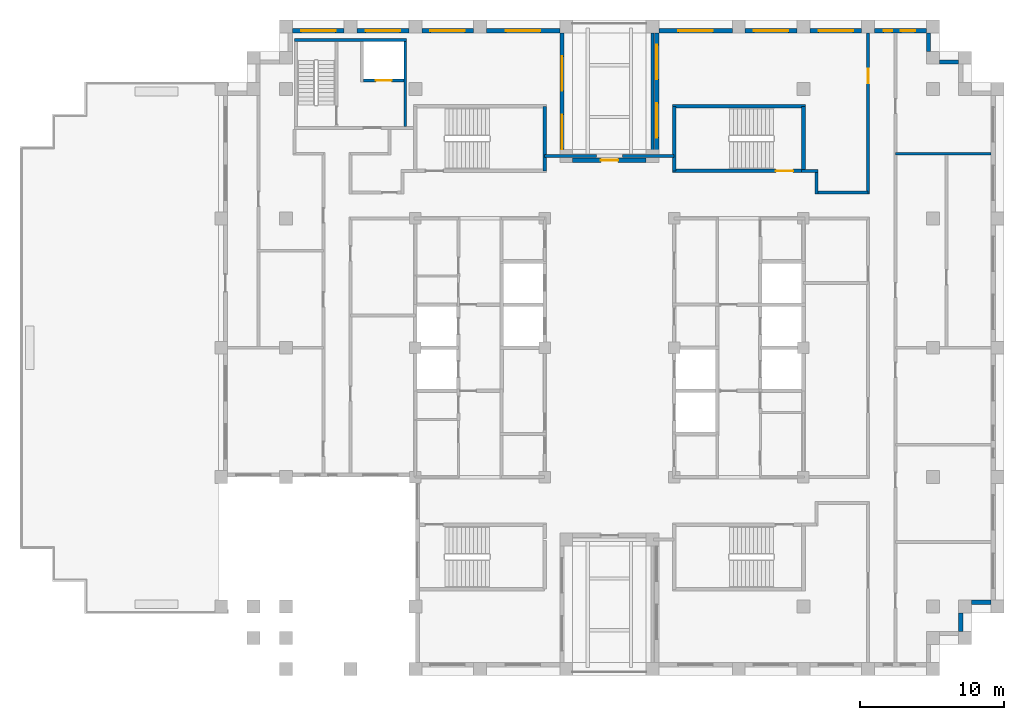
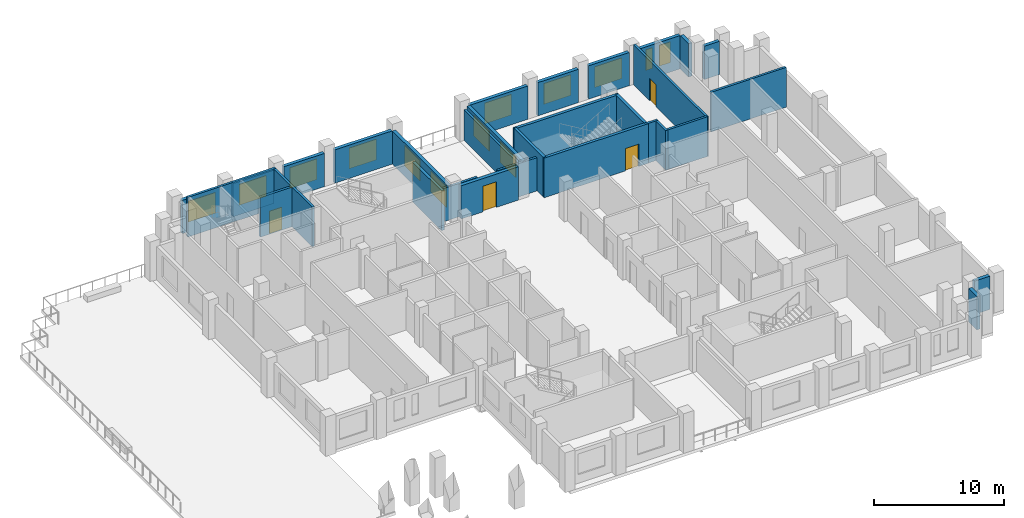
# One storey, part 6 of 10: 31 walls, 13 windows, 4 doors, 17 openings.
"""IFC4 building model written with IfcOpenShell, lengths in metres."""

from ifc_helpers import new_model, si_unit, direction, frame, frame_2d, origin, place, context, subcontext, project, spatial, rectangle, extrude, material, layer, layer_set, type_object, element, fill, save


model = new_model("IFC4")

# Units and contexts
model_context = context("Model", 3, precision=1e-05, world=origin(), true_north=direction((0.0, 1.0)))
body_context = subcontext(model_context, "Body", "Model", "MODEL_VIEW")
ifc_project = project(units=[si_unit("LENGTHUNIT", "METRE"), si_unit("AREAUNIT", "SQUARE_METRE"), si_unit("VOLUMEUNIT", "CUBIC_METRE"), si_unit("PLANEANGLEUNIT", "RADIAN"), si_unit("MASSUNIT", "GRAM", prefix="KILO")], contexts=[model_context])

# Site, building, storey
site_placement = place(None, origin())
site = spatial("IfcSite", under=ifc_project, at=site_placement, CompositionType="ELEMENT")
building_placement = place(site_placement, origin())
building = spatial("IfcBuilding", under=site, at=building_placement, Name="Corbelhall Arena Tower", CompositionType="ELEMENT")
storey_placement = place(building_placement, frame((0.0, 0.0, 242.0)))
storey = spatial("IfcBuildingStorey", under=building, at=storey_placement, Name="L51", CompositionType="ELEMENT", Elevation=242.0)

# Walls
ifc_material_1 = material(Name="Precast concrete C40/50 with granite facing", Category="masonry")
ifc_layer_1 = layer(ifc_material_1, 0.300048828125)
ifc_layer_set_1 = layer_set([ifc_layer_1], Name="EV-IW1 Infill panel 300")
wall_type_1 = type_object("IfcWallType", Name="EV-IW1 Infill panel 300", PredefinedType="SOLIDWALL", material=ifc_layer_set_1)
wall_1_placement = place(storey_placement, frame((24.449951171875, -19.72509765625, 0.0), z_axis=(0.0, 0.0, 1.0), x_axis=(0.0, 1.0, 0.0)))
element("IfcWall", 1, at=wall_1_placement, inside=storey, type_object=wall_type_1, Name="Infill panel IW1", PredefinedType="SOLIDWALL", context=body_context, shape_type="SweptSolid", body=[
    extrude(rectangle(XDim=1.275146484375, YDim=0.300048828125, at=frame_2d((0.6376953125, 0.0))), origin(), (0.0, 0.0, 1.0), 3.1201171875),
])
for number, where, z_axis, x_axis, name in (
    (2, (25.199951171875, -17.699951171875, 0.0), (0.0, 0.0, 1.0), (1.0, 0.0, 0.0), "Infill panel IW1"),
    (3, (24.300048828125, 19.875, 0.0), (0.0, 0.0, 1.0), (-1.0, 0.0, 0.0), "Infill panel IW1"),
):
    element("IfcWall", number, at=place(storey_placement, frame(where, z_axis=z_axis, x_axis=x_axis)), inside=storey, type_object=wall_type_1, Name=name, PredefinedType="SOLIDWALL", context=body_context, shape_type="SweptSolid", body=[
        extrude(rectangle(XDim=1.35009765625, YDim=0.300048828125, at=frame_2d((0.675048828125, 0.0))), origin(), (0.0, 0.0, 1.0), 3.1201171875),
    ])
wall_2_placement = place(storey_placement, frame((22.199951171875, 20.625, 0.0), z_axis=(0.0, 0.0, 1.0), x_axis=(0.0, 1.0, 0.0)))
element("IfcWall", 4, at=wall_2_placement, inside=storey, type_object=wall_type_1, Name="Infill panel IW1", PredefinedType="SOLIDWALL", context=body_context, shape_type="SweptSolid", body=[
    extrude(rectangle(XDim=1.27490234375, YDim=0.300048828125, at=frame_2d((0.637451171875, 0.0))), origin(), (0.0, 0.0, 1.0), 3.1201171875),
])

# Wall, openings, windows
wall_3_placement = place(storey_placement, frame((22.050048828125, 22.050048828125, 0.0), z_axis=(0.0, 0.0, 1.0), x_axis=(-1.0, 0.0, 0.0)))
wall_3 = element("IfcWall", 5, at=wall_3_placement, inside=storey, type_object=wall_type_1, Name="Infill panel IW1", PredefinedType="SOLIDWALL", context=body_context, shape_type="SweptSolid", body=[
    extrude(rectangle(XDim=3.60009765625, YDim=0.300048828125, at=frame_2d((1.800048828125, 0.0))), origin(), (0.0, 0.0, 1.0), 3.1201171875),
])
opening_1_placement = place(wall_3_placement, frame((0.77490234375, 0.0, 0.800048828125)))
opening_1 = element("IfcOpeningElement", 6, at=opening_1_placement, cuts=wall_3, Name="Opening WN6", PredefinedType="OPENING", context=body_context, shape_type="SweptSolid", body=[
    extrude(rectangle(XDim=1.0, YDim=1.949951171875, at=frame_2d((0.5, 0.97509765625))), frame((0.0, 0.14990234375, 0.0), z_axis=(0.0, -1.0, 0.0), x_axis=(1.0, 0.0, 0.0)), (0.0, 0.0, 1.0), 0.300048828125),
])
opening_2_placement = place(wall_3_placement, frame((2.375, 0.0, 0.800048828125)))
opening_2 = element("IfcOpeningElement", 7, at=opening_2_placement, cuts=wall_3, Name="Opening WN5", PredefinedType="OPENING", context=body_context, shape_type="SweptSolid", body=[
    extrude(rectangle(XDim=0.60009765625, YDim=1.949951171875, at=frame_2d((0.300048828125, 0.97509765625))), frame((0.0, 0.14990234375, 0.0), z_axis=(0.0, -1.0, 0.0), x_axis=(1.0, 0.0, 0.0)), (0.0, 0.0, 1.0), 0.300048828125),
])
ifc_material_2 = material(Name="Aluminium black anodised", Category="aluminium")
window_type_1 = type_object("IfcWindowType", Name="EV-WN5 Office window 600", PartitioningType="SINGLE_PANEL", PredefinedType="WINDOW", material=ifc_material_2)
window_1_placement = place(opening_2_placement, origin())
window_1 = element("IfcWindow", 8, at=window_1_placement, inside=storey, type_object=window_type_1, Name="Window WN5", OverallHeight=1.949951171875, OverallWidth=0.60009765625, PartitioningType="SINGLE_PANEL", PredefinedType="WINDOW", context=body_context, shape_type="SweptSolid", body=[
    extrude(rectangle(XDim=0.60009765625, YDim=1.949951171875, at=frame_2d((0.300048828125, 0.97509765625))), frame((0.0, 0.030029296875, 0.0), z_axis=(0.0, -1.0, 0.0), x_axis=(1.0, 0.0, 0.0)), (0.0, 0.0, 1.0), 0.06005859375),
])
fill(opening_2, window_1)
window_type_2 = type_object("IfcWindowType", Name="EV-WN6 Office window 1000", PartitioningType="SINGLE_PANEL", PredefinedType="WINDOW", material=ifc_material_2)
window_2_placement = place(opening_1_placement, origin())
window_2 = element("IfcWindow", 9, at=window_2_placement, inside=storey, type_object=window_type_2, Name="Window WN6", OverallHeight=1.949951171875, OverallWidth=1.0, PartitioningType="SINGLE_PANEL", PredefinedType="WINDOW", context=body_context, shape_type="SweptSolid", body=[
    extrude(rectangle(XDim=1.0, YDim=1.949951171875, at=frame_2d((0.5, 0.97509765625))), frame((0.0, 0.030029296875, 0.0), z_axis=(0.0, -1.0, 0.0), x_axis=(1.0, 0.0, 0.0)), (0.0, 0.0, 1.0), 0.06005859375),
])
fill(opening_1, window_2)

# Wall, opening, window
wall_4_placement = place(storey_placement, frame((17.550048828125, 22.050048828125, 0.0), z_axis=(0.0, 0.0, 1.0), x_axis=(-1.0, 0.0, 0.0)))
wall_4 = element("IfcWall", 10, at=wall_4_placement, inside=storey, type_object=wall_type_1, Name="Infill panel IW1", PredefinedType="SOLIDWALL", context=body_context, shape_type="SweptSolid", body=[
    extrude(rectangle(XDim=3.60009765625, YDim=0.300048828125, at=frame_2d((1.800048828125, 0.0))), origin(), (0.0, 0.0, 1.0), 3.1201171875),
])
opening_3_placement = place(wall_4_placement, frame((0.60009765625, 0.0, 0.800048828125)))
opening_3 = element("IfcOpeningElement", 11, at=opening_3_placement, cuts=wall_4, Name="Opening WN1", PredefinedType="OPENING", context=body_context, shape_type="SweptSolid", body=[
    extrude(rectangle(XDim=2.39990234375, YDim=1.949951171875, at=frame_2d((1.199951171875, 0.97509765625))), frame((0.0, 0.14990234375, 0.0), z_axis=(0.0, -1.0, 0.0), x_axis=(1.0, 0.0, 0.0)), (0.0, 0.0, 1.0), 0.300048828125),
])
window_type_3 = type_object("IfcWindowType", Name="EV-WN1 Office window", PartitioningType="SINGLE_PANEL", PredefinedType="WINDOW", material=ifc_material_2)
window_3_placement = place(opening_3_placement, origin())
window_3 = element("IfcWindow", 12, at=window_3_placement, inside=storey, type_object=window_type_3, Name="Window WN1", OverallHeight=1.949951171875, OverallWidth=2.39990234375, PartitioningType="SINGLE_PANEL", PredefinedType="WINDOW", context=body_context, shape_type="SweptSolid", body=[
    extrude(rectangle(XDim=2.39990234375, YDim=1.949951171875, at=frame_2d((1.199951171875, 0.97509765625))), frame((0.0, 0.030029296875, 0.0), z_axis=(0.0, -1.0, 0.0), x_axis=(1.0, 0.0, 0.0)), (0.0, 0.0, 1.0), 0.06005859375),
])
fill(opening_3, window_3)

wall_5_placement = place(storey_placement, frame((13.050048828125, 22.050048828125, 0.0), z_axis=(0.0, 0.0, 1.0), x_axis=(-1.0, 0.0, 0.0)))
wall_5 = element("IfcWall", 13, at=wall_5_placement, inside=storey, type_object=wall_type_1, Name="Infill panel IW1", PredefinedType="SOLIDWALL", context=body_context, shape_type="SweptSolid", body=[
    extrude(rectangle(XDim=3.60009765625, YDim=0.300048828125, at=frame_2d((1.800048828125, 0.0))), origin(), (0.0, 0.0, 1.0), 3.1201171875),
])
opening_4_placement = place(wall_5_placement, frame((0.60009765625, 0.0, 0.800048828125)))
opening_4 = element("IfcOpeningElement", 14, at=opening_4_placement, cuts=wall_5, Name="Opening WN1", PredefinedType="OPENING", context=body_context, shape_type="SweptSolid", body=[
    extrude(rectangle(XDim=2.39990234375, YDim=1.949951171875, at=frame_2d((1.199951171875, 0.97509765625))), frame((0.0, 0.14990234375, 0.0), z_axis=(0.0, -1.0, 0.0), x_axis=(1.0, 0.0, 0.0)), (0.0, 0.0, 1.0), 0.300048828125),
])
window_4_placement = place(opening_4_placement, origin())
window_4 = element("IfcWindow", 15, at=window_4_placement, inside=storey, type_object=window_type_3, Name="Window WN1", OverallHeight=1.949951171875, OverallWidth=2.39990234375, PartitioningType="SINGLE_PANEL", PredefinedType="WINDOW", context=body_context, shape_type="SweptSolid", body=[
    extrude(rectangle(XDim=2.39990234375, YDim=1.949951171875, at=frame_2d((1.199951171875, 0.97509765625))), frame((0.0, 0.030029296875, 0.0), z_axis=(0.0, -1.0, 0.0), x_axis=(1.0, 0.0, 0.0)), (0.0, 0.0, 1.0), 0.06005859375),
])
fill(opening_4, window_4)

wall_6_placement = place(storey_placement, frame((8.550048828125, 22.050048828125, 0.0), z_axis=(0.0, 0.0, 1.0), x_axis=(-1.0, 0.0, 0.0)))
wall_6 = element("IfcWall", 16, at=wall_6_placement, inside=storey, type_object=wall_type_1, Name="Infill panel IW1", PredefinedType="SOLIDWALL", context=body_context, shape_type="SweptSolid", body=[
    extrude(rectangle(XDim=5.10009765625, YDim=0.300048828125, at=frame_2d((2.550048828125, 0.0))), origin(), (0.0, 0.0, 1.0), 3.1201171875),
])
opening_5_placement = place(wall_6_placement, frame((1.35009765625, 0.0, 0.800048828125)))
opening_5 = element("IfcOpeningElement", 17, at=opening_5_placement, cuts=wall_6, Name="Opening WN1", PredefinedType="OPENING", context=body_context, shape_type="SweptSolid", body=[
    extrude(rectangle(XDim=2.39990234375, YDim=1.949951171875, at=frame_2d((1.199951171875, 0.97509765625))), frame((0.0, 0.14990234375, 0.0), z_axis=(0.0, -1.0, 0.0), x_axis=(1.0, 0.0, 0.0)), (0.0, 0.0, 1.0), 0.300048828125),
])
window_5_placement = place(opening_5_placement, origin())
window_5 = element("IfcWindow", 18, at=window_5_placement, inside=storey, type_object=window_type_3, Name="Window WN1", OverallHeight=1.949951171875, OverallWidth=2.39990234375, PartitioningType="SINGLE_PANEL", PredefinedType="WINDOW", context=body_context, shape_type="SweptSolid", body=[
    extrude(rectangle(XDim=2.39990234375, YDim=1.949951171875, at=frame_2d((1.199951171875, 0.97509765625))), frame((0.0, 0.030029296875, 0.0), z_axis=(0.0, -1.0, 0.0), x_axis=(1.0, 0.0, 0.0)), (0.0, 0.0, 1.0), 0.06005859375),
])
fill(opening_5, window_5)

# Wall, openings, windows
wall_7_placement = place(storey_placement, frame((3.300048828125, 21.89990234375, 0.0), z_axis=(0.0, 0.0, 1.0), x_axis=(0.0, -1.0, 0.0)))
wall_7 = element("IfcWall", 19, at=wall_7_placement, inside=storey, type_object=wall_type_1, Name="Infill panel IW1", PredefinedType="SOLIDWALL", context=body_context, shape_type="SweptSolid", body=[
    extrude(rectangle(XDim=8.5, YDim=0.300048828125, at=frame_2d((4.25, 0.0))), origin(), (0.0, 0.0, 1.0), 3.1201171875),
])
opening_6_placement = place(wall_7_placement, frame((0.824951171875, 0.0, 0.800048828125)))
opening_6 = element("IfcOpeningElement", 20, at=opening_6_placement, cuts=wall_7, Name="Opening WN1", PredefinedType="OPENING", context=body_context, shape_type="SweptSolid", body=[
    extrude(rectangle(XDim=2.39990234375, YDim=1.949951171875, at=frame_2d((1.199951171875, 0.97509765625))), frame((0.0, 0.14990234375, 0.0), z_axis=(0.0, -1.0, 0.0), x_axis=(1.0, 0.0, 0.0)), (0.0, 0.0, 1.0), 0.300048828125),
])
opening_7_placement = place(wall_7_placement, frame((4.875, 0.0, 0.800048828125)))
opening_7 = element("IfcOpeningElement", 21, at=opening_7_placement, cuts=wall_7, Name="Opening WN1", PredefinedType="OPENING", context=body_context, shape_type="SweptSolid", body=[
    extrude(rectangle(XDim=2.39990234375, YDim=1.949951171875, at=frame_2d((1.199951171875, 0.97509765625))), frame((0.0, 0.14990234375, 0.0), z_axis=(0.0, -1.0, 0.0), x_axis=(1.0, 0.0, 0.0)), (0.0, 0.0, 1.0), 0.300048828125),
])
window_6_placement = place(opening_6_placement, origin())
window_6 = element("IfcWindow", 22, at=window_6_placement, inside=storey, type_object=window_type_3, Name="Window WN1", OverallHeight=1.949951171875, OverallWidth=2.39990234375, PartitioningType="SINGLE_PANEL", PredefinedType="WINDOW", context=body_context, shape_type="SweptSolid", body=[
    extrude(rectangle(XDim=2.39990234375, YDim=1.949951171875, at=frame_2d((1.199951171875, 0.97509765625))), frame((0.0, 0.030029296875, 0.0), z_axis=(0.0, -1.0, 0.0), x_axis=(1.0, 0.0, 0.0)), (0.0, 0.0, 1.0), 0.06005859375),
])
fill(opening_6, window_6)
window_7_placement = place(opening_7_placement, origin())
window_7 = element("IfcWindow", 23, at=window_7_placement, inside=storey, type_object=window_type_3, Name="Window WN1", OverallHeight=1.949951171875, OverallWidth=2.39990234375, PartitioningType="SINGLE_PANEL", PredefinedType="WINDOW", context=body_context, shape_type="SweptSolid", body=[
    extrude(rectangle(XDim=2.39990234375, YDim=1.949951171875, at=frame_2d((1.199951171875, 0.97509765625))), frame((0.0, 0.030029296875, 0.0), z_axis=(0.0, -1.0, 0.0), x_axis=(1.0, 0.0, 0.0)), (0.0, 0.0, 1.0), 0.06005859375),
])
fill(opening_7, window_7)

# Wall, opening, door
wall_8_placement = place(storey_placement, frame((-2.550048828125, 13.050048828125, 0.0), z_axis=(0.0, 0.0, 1.0), x_axis=(1.0, 0.0, 0.0)))
wall_8 = element("IfcWall", 24, at=wall_8_placement, inside=storey, type_object=wall_type_1, Name="Infill panel IW1", PredefinedType="SOLIDWALL", context=body_context, shape_type="SweptSolid", body=[
    extrude(rectangle(XDim=5.10009765625, YDim=0.300048828125, at=frame_2d((2.550048828125, 0.0))), origin(), (0.0, 0.0, 1.0), 3.1201171875),
])
opening_8_placement = place(wall_8_placement, frame((1.949951171875, 0.0, 0.0)))
opening_8 = element("IfcOpeningElement", 25, at=opening_8_placement, cuts=wall_8, Name="Opening ED1", PredefinedType="OPENING", context=body_context, shape_type="SweptSolid", body=[
    extrude(rectangle(XDim=1.199951171875, YDim=2.39990234375, at=frame_2d((0.60009765625, 1.199951171875))), frame((0.0, 0.14990234375, 0.0), z_axis=(0.0, -1.0, 0.0), x_axis=(1.0, 0.0, 0.0)), (0.0, 0.0, 1.0), 0.300048828125),
])
door_type_1 = type_object("IfcDoorType", Name="EV-ED1 Terrace door", OperationType="SINGLE_SWING_LEFT", PredefinedType="DOOR", material=ifc_material_2)
door_1_placement = place(opening_8_placement, origin())
door_1 = element("IfcDoor", 26, at=door_1_placement, inside=storey, type_object=door_type_1, Name="Terrace door", OperationType="SINGLE_SWING_LEFT", OverallHeight=2.39990234375, OverallWidth=1.199951171875, PredefinedType="DOOR", context=body_context, shape_type="SweptSolid", body=[
    extrude(rectangle(XDim=1.199951171875, YDim=2.39990234375, at=frame_2d((0.60009765625, 1.199951171875))), frame((0.0, 0.02490234375, 0.0), z_axis=(0.0, -1.0, 0.0), x_axis=(1.0, 0.0, 0.0)), (0.0, 0.0, 1.0), 0.050048828125),
])
fill(opening_8, door_1)

# Wall, openings, windows
wall_9_placement = place(storey_placement, frame((-3.300048828125, 13.39990234375, 0.0), z_axis=(0.0, 0.0, 1.0), x_axis=(0.0, 1.0, 0.0)))
wall_9 = element("IfcWall", 27, at=wall_9_placement, inside=storey, type_object=wall_type_1, Name="Infill panel IW1", PredefinedType="SOLIDWALL", context=body_context, shape_type="SweptSolid", body=[
    extrude(rectangle(XDim=8.5, YDim=0.300048828125, at=frame_2d((4.25, 0.0))), origin(), (0.0, 0.0, 1.0), 3.1201171875),
])
opening_9_placement = place(wall_9_placement, frame((0.425048828125, 0.0, 0.800048828125)))
opening_9 = element("IfcOpeningElement", 28, at=opening_9_placement, cuts=wall_9, Name="Opening WN1", PredefinedType="OPENING", context=body_context, shape_type="SweptSolid", body=[
    extrude(rectangle(XDim=2.39990234375, YDim=1.949951171875, at=frame_2d((1.199951171875, 0.97509765625))), frame((0.0, 0.14990234375, 0.0), z_axis=(0.0, -1.0, 0.0), x_axis=(1.0, 0.0, 0.0)), (0.0, 0.0, 1.0), 0.300048828125),
])
opening_10_placement = place(wall_9_placement, frame((4.47509765625, 0.0, 0.800048828125)))
opening_10 = element("IfcOpeningElement", 29, at=opening_10_placement, cuts=wall_9, Name="Opening WN1", PredefinedType="OPENING", context=body_context, shape_type="SweptSolid", body=[
    extrude(rectangle(XDim=2.39990234375, YDim=1.949951171875, at=frame_2d((1.199951171875, 0.97509765625))), frame((0.0, 0.14990234375, 0.0), z_axis=(0.0, -1.0, 0.0), x_axis=(1.0, 0.0, 0.0)), (0.0, 0.0, 1.0), 0.300048828125),
])
window_8_placement = place(opening_9_placement, origin())
window_8 = element("IfcWindow", 30, at=window_8_placement, inside=storey, type_object=window_type_3, Name="Window WN1", OverallHeight=1.949951171875, OverallWidth=2.39990234375, PartitioningType="SINGLE_PANEL", PredefinedType="WINDOW", context=body_context, shape_type="SweptSolid", body=[
    extrude(rectangle(XDim=2.39990234375, YDim=1.949951171875, at=frame_2d((1.199951171875, 0.97509765625))), frame((0.0, 0.030029296875, 0.0), z_axis=(0.0, -1.0, 0.0), x_axis=(1.0, 0.0, 0.0)), (0.0, 0.0, 1.0), 0.06005859375),
])
fill(opening_9, window_8)
window_9_placement = place(opening_10_placement, origin())
window_9 = element("IfcWindow", 31, at=window_9_placement, inside=storey, type_object=window_type_3, Name="Window WN1", OverallHeight=1.949951171875, OverallWidth=2.39990234375, PartitioningType="SINGLE_PANEL", PredefinedType="WINDOW", context=body_context, shape_type="SweptSolid", body=[
    extrude(rectangle(XDim=2.39990234375, YDim=1.949951171875, at=frame_2d((1.199951171875, 0.97509765625))), frame((0.0, 0.030029296875, 0.0), z_axis=(0.0, -1.0, 0.0), x_axis=(1.0, 0.0, 0.0)), (0.0, 0.0, 1.0), 0.06005859375),
])
fill(opening_10, window_9)

# Wall, opening, window
wall_10_placement = place(storey_placement, frame((-3.449951171875, 22.050048828125, 0.0), z_axis=(0.0, 0.0, 1.0), x_axis=(-1.0, 0.0, 0.0)))
wall_10 = element("IfcWall", 32, at=wall_10_placement, inside=storey, type_object=wall_type_1, Name="Infill panel IW1", PredefinedType="SOLIDWALL", context=body_context, shape_type="SweptSolid", body=[
    extrude(rectangle(XDim=5.10009765625, YDim=0.300048828125, at=frame_2d((2.550048828125, 0.0))), origin(), (0.0, 0.0, 1.0), 3.1201171875),
])
opening_11_placement = place(wall_10_placement, frame((1.35009765625, 0.0, 0.800048828125)))
opening_11 = element("IfcOpeningElement", 33, at=opening_11_placement, cuts=wall_10, Name="Opening WN1", PredefinedType="OPENING", context=body_context, shape_type="SweptSolid", body=[
    extrude(rectangle(XDim=2.39990234375, YDim=1.949951171875, at=frame_2d((1.199951171875, 0.97509765625))), frame((0.0, 0.14990234375, 0.0), z_axis=(0.0, -1.0, 0.0), x_axis=(1.0, 0.0, 0.0)), (0.0, 0.0, 1.0), 0.300048828125),
])
window_10_placement = place(opening_11_placement, origin())
window_10 = element("IfcWindow", 34, at=window_10_placement, inside=storey, type_object=window_type_3, Name="Window WN1", OverallHeight=1.949951171875, OverallWidth=2.39990234375, PartitioningType="SINGLE_PANEL", PredefinedType="WINDOW", context=body_context, shape_type="SweptSolid", body=[
    extrude(rectangle(XDim=2.39990234375, YDim=1.949951171875, at=frame_2d((1.199951171875, 0.97509765625))), frame((0.0, 0.030029296875, 0.0), z_axis=(0.0, -1.0, 0.0), x_axis=(1.0, 0.0, 0.0)), (0.0, 0.0, 1.0), 0.06005859375),
])
fill(opening_11, window_10)

wall_11_placement = place(storey_placement, frame((-9.449951171875, 22.050048828125, 0.0), z_axis=(0.0, 0.0, 1.0), x_axis=(-1.0, 0.0, 0.0)))
wall_11 = element("IfcWall", 35, at=wall_11_placement, inside=storey, type_object=wall_type_1, Name="Infill panel IW1", PredefinedType="SOLIDWALL", context=body_context, shape_type="SweptSolid", body=[
    extrude(rectangle(XDim=3.60009765625, YDim=0.300048828125, at=frame_2d((1.800048828125, 0.0))), origin(), (0.0, 0.0, 1.0), 3.1201171875),
])
opening_12_placement = place(wall_11_placement, frame((0.60009765625, 0.0, 0.800048828125)))
opening_12 = element("IfcOpeningElement", 36, at=opening_12_placement, cuts=wall_11, Name="Opening WN1", PredefinedType="OPENING", context=body_context, shape_type="SweptSolid", body=[
    extrude(rectangle(XDim=2.39990234375, YDim=1.949951171875, at=frame_2d((1.199951171875, 0.97509765625))), frame((0.0, 0.14990234375, 0.0), z_axis=(0.0, -1.0, 0.0), x_axis=(1.0, 0.0, 0.0)), (0.0, 0.0, 1.0), 0.300048828125),
])
window_11_placement = place(opening_12_placement, origin())
window_11 = element("IfcWindow", 37, at=window_11_placement, inside=storey, type_object=window_type_3, Name="Window WN1", OverallHeight=1.949951171875, OverallWidth=2.39990234375, PartitioningType="SINGLE_PANEL", PredefinedType="WINDOW", context=body_context, shape_type="SweptSolid", body=[
    extrude(rectangle(XDim=2.39990234375, YDim=1.949951171875, at=frame_2d((1.199951171875, 0.97509765625))), frame((0.0, 0.030029296875, 0.0), z_axis=(0.0, -1.0, 0.0), x_axis=(1.0, 0.0, 0.0)), (0.0, 0.0, 1.0), 0.06005859375),
])
fill(opening_12, window_11)

wall_12_placement = place(storey_placement, frame((-13.949951171875, 22.050048828125, 0.0), z_axis=(0.0, 0.0, 1.0), x_axis=(-1.0, 0.0, 0.0)))
wall_12 = element("IfcWall", 38, at=wall_12_placement, inside=storey, type_object=wall_type_1, Name="Infill panel IW1", PredefinedType="SOLIDWALL", context=body_context, shape_type="SweptSolid", body=[
    extrude(rectangle(XDim=3.60009765625, YDim=0.300048828125, at=frame_2d((1.800048828125, 0.0))), origin(), (0.0, 0.0, 1.0), 3.1201171875),
])
opening_13_placement = place(wall_12_placement, frame((0.60009765625, 0.0, 0.800048828125)))
opening_13 = element("IfcOpeningElement", 39, at=opening_13_placement, cuts=wall_12, Name="Opening WN1", PredefinedType="OPENING", context=body_context, shape_type="SweptSolid", body=[
    extrude(rectangle(XDim=2.39990234375, YDim=1.949951171875, at=frame_2d((1.199951171875, 0.97509765625))), frame((0.0, 0.14990234375, 0.0), z_axis=(0.0, -1.0, 0.0), x_axis=(1.0, 0.0, 0.0)), (0.0, 0.0, 1.0), 0.300048828125),
])
window_12_placement = place(opening_13_placement, origin())
window_12 = element("IfcWindow", 40, at=window_12_placement, inside=storey, type_object=window_type_3, Name="Window WN1", OverallHeight=1.949951171875, OverallWidth=2.39990234375, PartitioningType="SINGLE_PANEL", PredefinedType="WINDOW", context=body_context, shape_type="SweptSolid", body=[
    extrude(rectangle(XDim=2.39990234375, YDim=1.949951171875, at=frame_2d((1.199951171875, 0.97509765625))), frame((0.0, 0.030029296875, 0.0), z_axis=(0.0, -1.0, 0.0), x_axis=(1.0, 0.0, 0.0)), (0.0, 0.0, 1.0), 0.06005859375),
])
fill(opening_13, window_12)

wall_13_placement = place(storey_placement, frame((-18.449951171875, 22.050048828125, 0.0), z_axis=(0.0, 0.0, 1.0), x_axis=(-1.0, 0.0, 0.0)))
wall_13 = element("IfcWall", 41, at=wall_13_placement, inside=storey, type_object=wall_type_1, Name="Infill panel IW1", PredefinedType="SOLIDWALL", context=body_context, shape_type="SweptSolid", body=[
    extrude(rectangle(XDim=3.60009765625, YDim=0.300048828125, at=frame_2d((1.800048828125, 0.0))), origin(), (0.0, 0.0, 1.0), 3.1201171875),
])
opening_14_placement = place(wall_13_placement, frame((0.60009765625, 0.0, 0.800048828125)))
opening_14 = element("IfcOpeningElement", 42, at=opening_14_placement, cuts=wall_13, Name="Opening WN1", PredefinedType="OPENING", context=body_context, shape_type="SweptSolid", body=[
    extrude(rectangle(XDim=2.39990234375, YDim=1.949951171875, at=frame_2d((1.199951171875, 0.97509765625))), frame((0.0, 0.14990234375, 0.0), z_axis=(0.0, -1.0, 0.0), x_axis=(1.0, 0.0, 0.0)), (0.0, 0.0, 1.0), 0.300048828125),
])
window_13_placement = place(opening_14_placement, origin())
window_13 = element("IfcWindow", 43, at=window_13_placement, inside=storey, type_object=window_type_3, Name="Window WN1", OverallHeight=1.949951171875, OverallWidth=2.39990234375, PartitioningType="SINGLE_PANEL", PredefinedType="WINDOW", context=body_context, shape_type="SweptSolid", body=[
    extrude(rectangle(XDim=2.39990234375, YDim=1.949951171875, at=frame_2d((1.199951171875, 0.97509765625))), frame((0.0, 0.030029296875, 0.0), z_axis=(0.0, -1.0, 0.0), x_axis=(1.0, 0.0, 0.0)), (0.0, 0.0, 1.0), 0.06005859375),
])
fill(opening_14, window_13)

# Walls
ifc_material_3 = material(Name="Gypsum board on steel stud, acoustic", Category="steel")
ifc_layer_2 = layer(ifc_material_3, 0.199951171875)
ifc_layer_set_2 = layer_set([ifc_layer_2], Name="IN-W-DM200")
wall_type_2 = type_object("IfcWallType", Name="IN-W-DM200", PredefinedType="PARTITIONING", material=ifc_layer_set_2)
wall_14_placement = place(storey_placement, frame((13.375, 12.300048828125, 0.0), z_axis=(0.0, 0.0, 1.0), x_axis=(1.0, 0.0, 0.0)))
element("IfcWall", 44, at=wall_14_placement, inside=storey, type_object=wall_type_2, Name="Partition 021", PredefinedType="PARTITIONING", context=body_context, shape_type="SweptSolid", body=[
    extrude(rectangle(XDim=1.125, YDim=0.199951171875, at=frame_2d((0.5625, 0.0))), origin(), (0.0, 0.0, 1.0), 3.719970703125),
])
wall_15_placement = place(storey_placement, frame((14.39990234375, 10.800048828125, 0.0), z_axis=(0.0, 0.0, 1.0), x_axis=(1.0, 0.0, 0.0)))
element("IfcWall", 45, at=wall_15_placement, inside=storey, type_object=wall_type_2, Name="Partition 027", PredefinedType="PARTITIONING", context=body_context, shape_type="SweptSolid", body=[
    extrude(rectangle(XDim=3.60009765625, YDim=0.199951171875, at=frame_2d((1.800048828125, 0.0))), origin(), (0.0, 0.0, 1.0), 3.719970703125),
])
wall_16_placement = place(storey_placement, frame((14.39990234375, 12.300048828125, 0.0), z_axis=(0.0, 0.0, 1.0), x_axis=(0.0, -1.0, 0.0)))
element("IfcWall", 46, at=wall_16_placement, inside=storey, type_object=wall_type_2, Name="Partition 028", PredefinedType="PARTITIONING", context=body_context, shape_type="SweptSolid", body=[
    extrude(rectangle(XDim=1.60009765625, YDim=0.199951171875, at=frame_2d((0.800048828125, 0.0))), origin(), (0.0, 0.0, 1.0), 3.719970703125),
])

# Wall, opening, door
wall_17_placement = place(storey_placement, frame((18.0, 10.699951171875, 0.0), z_axis=(0.0, 0.0, 1.0), x_axis=(0.0, 1.0, 0.0)))
wall_17 = element("IfcWall", 47, at=wall_17_placement, inside=storey, type_object=wall_type_2, Name="Partition 032", PredefinedType="PARTITIONING", context=body_context, shape_type="SweptSolid", body=[
    extrude(rectangle(XDim=11.199951171875, YDim=0.199951171875, at=frame_2d((5.60009765625, 0.0))), origin(), (0.0, 0.0, 1.0), 3.719970703125),
])
opening_15_placement = place(wall_17_placement, frame((7.699951171875, 0.0, 0.0)))
opening_15 = element("IfcOpeningElement", 48, at=opening_15_placement, cuts=wall_17, Name="Opening 16026", PredefinedType="OPENING", context=body_context, shape_type="SweptSolid", body=[
    extrude(rectangle(XDim=1.0, YDim=2.10009765625, at=frame_2d((0.5, 1.050048828125))), frame((0.0, 0.10009765625, 0.0), z_axis=(0.0, -1.0, 0.0), x_axis=(1.0, 0.0, 0.0)), (0.0, 0.0, 1.0), 0.199951171875),
])
ifc_material_4 = material(Name="Steel door set", Category="steel")
door_type_2 = type_object("IfcDoorType", Name="IN-D-SW100", OperationType="NOTDEFINED", PredefinedType="DOOR", material=ifc_material_4)
door_2_placement = place(opening_15_placement, origin())
door_2 = element("IfcDoor", 49, at=door_2_placement, inside=storey, type_object=door_type_2, Name="Door 026", OperationType="SINGLE_SWING_LEFT", OverallHeight=2.10009765625, OverallWidth=1.0, PredefinedType="DOOR", context=body_context, shape_type="SweptSolid", body=[
    extrude(rectangle(XDim=1.0, YDim=2.10009765625, at=frame_2d((0.5, 1.050048828125))), frame((0.0, 0.02490234375, 0.0), z_axis=(0.0, -1.0, 0.0), x_axis=(1.0, 0.0, 0.0)), (0.0, 0.0, 1.0), 0.050048828125),
])
fill(opening_15, door_2)

# Walls
wall_18_placement = place(storey_placement, frame((19.89990234375, 13.5, 0.0), z_axis=(0.0, 0.0, 1.0), x_axis=(1.0, 0.0, 0.0)))
element("IfcWall", 50, at=wall_18_placement, inside=storey, type_object=wall_type_2, Name="Partition 036", PredefinedType="PARTITIONING", context=body_context, shape_type="SweptSolid", body=[
    extrude(rectangle(XDim=6.650146484375, YDim=0.199951171875, at=frame_2d((3.3251953125, 0.0))), origin(), (0.0, 0.0, 1.0), 3.719970703125),
])
ifc_layer_3 = layer(ifc_material_3, 0.199951171875)
ifc_layer_set_3 = layer_set([ifc_layer_3], Name="IN-W-DM200 under beam 602 mm")
wall_type_3 = type_object("IfcWallType", Name="IN-W-DM200 under beam 602 mm", PredefinedType="PARTITIONING", material=ifc_layer_set_3)
for number, where, z_axis, x_axis, name in (
    (51, (-4.5, 13.35009765625, 0.0), (0.0, 0.0, 1.0), (1.0, 0.0, 0.0), "Partition 016"),
    (52, (0.89990234375, 13.35009765625, 0.0), (0.0, 0.0, 1.0), (1.0, 0.0, 0.0), "Partition 017"),
):
    element("IfcWall", number, at=place(storey_placement, frame(where, z_axis=z_axis, x_axis=x_axis)), inside=storey, type_object=wall_type_3, Name=name, PredefinedType="PARTITIONING", context=body_context, shape_type="SweptSolid", body=[
        extrude(rectangle(XDim=3.60009765625, YDim=0.199951171875, at=frame_2d((1.800048828125, 0.0))), origin(), (0.0, 0.0, 1.0), 3.117919921875),
    ])
ifc_layer_4 = layer(ifc_material_3, 0.199951171875)
ifc_layer_set_4 = layer_set([ifc_layer_4], Name="IN-W-DM200 under beam 846 mm")
wall_type_4 = type_object("IfcWallType", Name="IN-W-DM200 under beam 846 mm", PredefinedType="PARTITIONING", material=ifc_layer_set_4)
wall_19_placement = place(storey_placement, frame((3.0, 21.89990234375, 0.0), z_axis=(0.0, 0.0, 1.0), x_axis=(0.0, -1.0, 0.0)))
element("IfcWall", 53, at=wall_19_placement, inside=storey, type_object=wall_type_4, Name="Partition 019", PredefinedType="PARTITIONING", context=body_context, shape_type="SweptSolid", body=[
    extrude(rectangle(XDim=8.5498046875, YDim=0.199951171875, at=frame_2d((4.27490234375, 0.0))), origin(), (0.0, 0.0, 1.0), 2.874267578125),
])
ifc_material_5 = material(Name="Concrete C40/50", Category="concrete")
ifc_layer_5 = layer(ifc_material_5, 0.199951171875)
ifc_layer_set_5 = layer_set([ifc_layer_5], Name="IN-W-EAR200")
wall_type_5 = type_object("IfcWallType", Name="IN-W-EAR200", PredefinedType="SOLIDWALL", material=ifc_layer_set_5)
wall_20_placement = place(storey_placement, frame((-21.89990234375, 21.39990234375, 0.0), z_axis=(0.0, 0.0, 1.0), x_axis=(1.0, 0.0, 0.0)))
element("IfcWall", 54, at=wall_20_placement, inside=storey, type_object=wall_type_5, Name="Fire service turret wall north", PredefinedType="SOLIDWALL", context=body_context, shape_type="SweptSolid", body=[
    extrude(rectangle(XDim=7.7998046875, YDim=0.199951171875, at=frame_2d((3.89990234375, 0.0))), origin(), (0.0, 0.0, 1.0), 3.719970703125),
])
wall_21_placement = place(storey_placement, frame((-14.199951171875, 15.39990234375, 0.0), z_axis=(0.0, 0.0, 1.0), x_axis=(0.0, 1.0, 0.0)))
element("IfcWall", 55, at=wall_21_placement, inside=storey, type_object=wall_type_5, Name="Fire service turret wall east", PredefinedType="SOLIDWALL", context=body_context, shape_type="SweptSolid", body=[
    extrude(rectangle(XDim=5.900146484375, YDim=0.199951171875, at=frame_2d((2.9501953125, 0.0))), origin(), (0.0, 0.0, 1.0), 3.719970703125),
])

# Wall, opening, door
wall_22_placement = place(storey_placement, frame((-17.10009765625, 18.60009765625, 0.0), z_axis=(0.0, 0.0, 1.0), x_axis=(1.0, 0.0, 0.0)))
wall_22 = element("IfcWall", 56, at=wall_22_placement, inside=storey, type_object=wall_type_5, Name="Fire service turret wall hoistway south", PredefinedType="SOLIDWALL", context=body_context, shape_type="SweptSolid", body=[
    extrude(rectangle(XDim=2.800048828125, YDim=0.199951171875, at=frame_2d((1.39990234375, 0.0))), origin(), (0.0, 0.0, 1.0), 3.719970703125),
])
opening_16_placement = place(wall_22_placement, frame((0.85009765625, 0.0, 0.0)))
opening_16 = element("IfcOpeningElement", 57, at=opening_16_placement, cuts=wall_22, Name="Opening LD", PredefinedType="OPENING", context=body_context, shape_type="SweptSolid", body=[
    extrude(rectangle(XDim=1.10009765625, YDim=2.10009765625, at=frame_2d((0.550048828125, 1.050048828125))), frame((0.0, 0.10009765625, 0.0), z_axis=(0.0, -1.0, 0.0), x_axis=(1.0, 0.0, 0.0)), (0.0, 0.0, 1.0), 0.199951171875),
])
door_type_3 = type_object("IfcDoorType", Name="IN-D-LD110", OperationType="NOTDEFINED", PredefinedType="DOOR", material=ifc_material_4)
door_3_placement = place(opening_16_placement, origin())
door_3 = element("IfcDoor", 58, at=door_3_placement, inside=storey, type_object=door_type_3, Name="Landing door FS1", OperationType="SLIDING_TO_LEFT", OverallHeight=2.10009765625, OverallWidth=1.10009765625, PredefinedType="DOOR", context=body_context, shape_type="SweptSolid", body=[
    extrude(rectangle(XDim=1.10009765625, YDim=2.10009765625, at=frame_2d((0.550048828125, 1.050048828125))), frame((0.0, 0.02490234375, 0.0), z_axis=(0.0, -1.0, 0.0), x_axis=(1.0, 0.0, 0.0)), (0.0, 0.0, 1.0), 0.050048828125),
])
fill(opening_16, door_3)

# Wall
ifc_layer_6 = layer(ifc_material_5, 0.25)
ifc_layer_set_6 = layer_set([ifc_layer_6], Name="IN-W-ST250")
wall_type_6 = type_object("IfcWallType", Name="IN-W-ST250", PredefinedType="SOLIDWALL", material=ifc_layer_set_6)
wall_23_placement = place(storey_placement, frame((-4.5, 16.800048828125, 0.0), z_axis=(0.0, 0.0, 1.0), x_axis=(0.0, -1.0, 0.0)))
element("IfcWall", 59, at=wall_23_placement, inside=storey, type_object=wall_type_6, Name="Shaft wall 088", PredefinedType="SOLIDWALL", context=body_context, shape_type="SweptSolid", body=[
    extrude(rectangle(XDim=4.5, YDim=0.25, at=frame_2d((2.25, 0.0))), origin(), (0.0, 0.0, 1.0), 3.719970703125),
])

# Wall, opening, door
wall_24_placement = place(storey_placement, frame((4.375, 12.300048828125, 0.0), z_axis=(0.0, 0.0, 1.0), x_axis=(1.0, 0.0, 0.0)))
wall_24 = element("IfcWall", 60, at=wall_24_placement, inside=storey, type_object=wall_type_6, Name="Shaft wall 090", PredefinedType="SOLIDWALL", context=body_context, shape_type="SweptSolid", body=[
    extrude(rectangle(XDim=9.25, YDim=0.25, at=frame_2d((4.625, 0.0))), origin(), (0.0, 0.0, 1.0), 3.719970703125),
])
opening_17_placement = place(wall_24_placement, frame((7.199951171875, 0.0, 0.0)))
opening_17 = element("IfcOpeningElement", 61, at=opening_17_placement, cuts=wall_24, Name="Opening 16019", PredefinedType="OPENING", context=body_context, shape_type="SweptSolid", body=[
    extrude(rectangle(XDim=1.199951171875, YDim=2.10009765625, at=frame_2d((0.60009765625, 1.050048828125))), frame((0.0, 0.125, 0.0), z_axis=(0.0, -1.0, 0.0), x_axis=(1.0, 0.0, 0.0)), (0.0, 0.0, 1.0), 0.25),
])
door_type_4 = type_object("IfcDoorType", Name="IN-D-ST120", OperationType="NOTDEFINED", PredefinedType="DOOR", material=ifc_material_4)
door_4_placement = place(opening_17_placement, origin())
door_4 = element("IfcDoor", 62, at=door_4_placement, inside=storey, type_object=door_type_4, Name="Door 019", OperationType="SINGLE_SWING_RIGHT", OverallHeight=2.10009765625, OverallWidth=1.199951171875, PredefinedType="DOOR", context=body_context, shape_type="SweptSolid", body=[
    extrude(rectangle(XDim=1.199951171875, YDim=2.10009765625, at=frame_2d((0.60009765625, 1.050048828125))), frame((0.0, 0.02490234375, 0.0), z_axis=(0.0, -1.0, 0.0), x_axis=(1.0, 0.0, 0.0)), (0.0, 0.0, 1.0), 0.050048828125),
])
fill(opening_17, door_4)

# Walls
wall_25_placement = place(storey_placement, frame((4.375, 16.800048828125, 0.0), z_axis=(0.0, 0.0, 1.0), x_axis=(1.0, 0.0, 0.0)))
element("IfcWall", 63, at=wall_25_placement, inside=storey, type_object=wall_type_6, Name="Shaft wall 091", PredefinedType="SOLIDWALL", context=body_context, shape_type="SweptSolid", body=[
    extrude(rectangle(XDim=9.25, YDim=0.25, at=frame_2d((4.625, 0.0))), origin(), (0.0, 0.0, 1.0), 3.719970703125),
])
for number, where, z_axis, x_axis, name in (
    (64, (4.5, 12.300048828125, 0.0), (0.0, 0.0, 1.0), (0.0, 1.0, 0.0), "Shaft wall 093"),
    (65, (13.5, 16.800048828125, 0.0), (0.0, 0.0, 1.0), (0.0, -1.0, 0.0), "Shaft wall 096"),
):
    element("IfcWall", number, at=place(storey_placement, frame(where, z_axis=z_axis, x_axis=x_axis)), inside=storey, type_object=wall_type_6, Name=name, PredefinedType="SOLIDWALL", context=body_context, shape_type="SweptSolid", body=[
        extrude(rectangle(XDim=4.5, YDim=0.25, at=frame_2d((2.25, 0.0))), origin(), (0.0, 0.0, 1.0), 3.719970703125),
    ])

save(model, "model.ifc")
